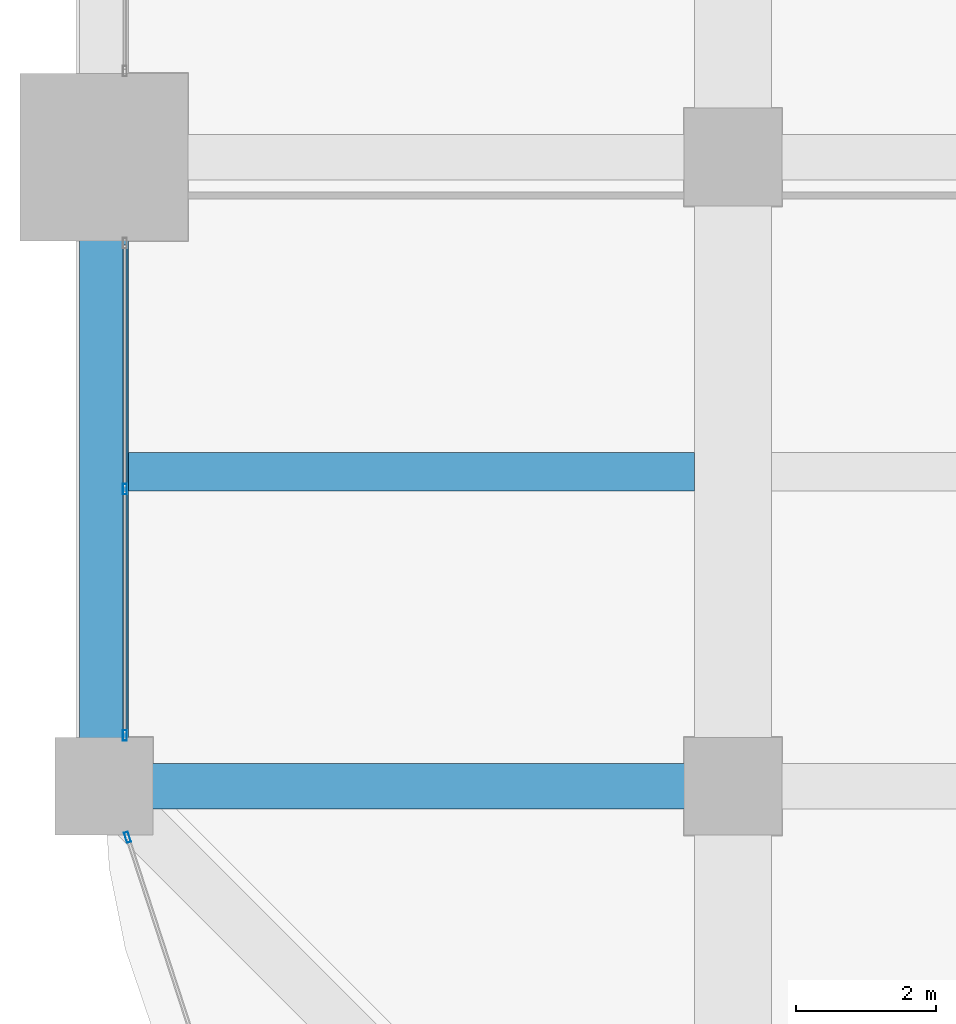
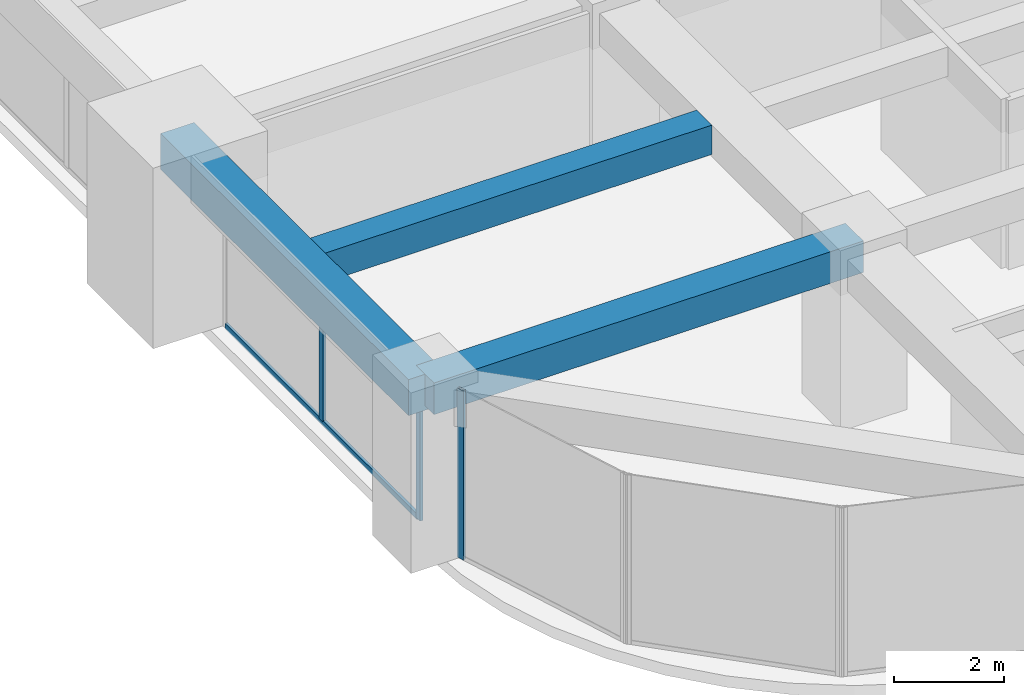
# One storey, part 4 of 33: 4 members, 3 beams, 2 elements without a shape of their own.
"""IFC4 building model written with IfcOpenShell, lengths in metres."""

from ifc_helpers import new_model, si_unit, direction, frame, origin, origin_2d, place, context, subcontext, project, spatial, rectangle, hollow_rectangle, extrude, material, material_profile, profile_set, type_object, element, aggregate, save


model = new_model("IFC4")

# Units and contexts
model_context = context("Model", 3, precision=1e-05, world=origin(), true_north=direction((0.0, 1.0)))
body_context = subcontext(model_context, "Body", "Model", "MODEL_VIEW")
ifc_project = project(units=[si_unit("LENGTHUNIT", "METRE"), si_unit("AREAUNIT", "SQUARE_METRE"), si_unit("VOLUMEUNIT", "CUBIC_METRE"), si_unit("PLANEANGLEUNIT", "RADIAN"), si_unit("MASSUNIT", "GRAM", prefix="KILO")], contexts=[model_context])

# Site, building, storey
site_placement = place(None, origin())
site = spatial("IfcSite", under=ifc_project, at=site_placement, CompositionType="ELEMENT")
building_placement = place(site_placement, origin())
building = spatial("IfcBuilding", under=site, at=building_placement, Name="Zorevar Civic Tower", CompositionType="ELEMENT")
storey_placement = place(building_placement, frame((0.0, 0.0, 210.199951171875)))
storey = spatial("IfcBuildingStorey", under=building, at=storey_placement, Name="L51", CompositionType="ELEMENT", Elevation=210.199951171875)

# Beams
ifc_material_1 = material(Name="Concrete C50/60", Category="concrete")
ifc_material_profile_1 = material_profile(ifc_material_1, rectangle(XDim=0.550048828125, YDim=0.64990234375, at=origin_2d()), Name="RC 550x650")
ifc_profile_set_1 = profile_set([ifc_material_profile_1], Name="Concrete C50/60")
beam_type_1 = type_object("IfcBeamType", Name="Beam RC 550x650", PredefinedType="BEAM", material=ifc_profile_set_1)
beam_1_placement = place(storey_placement, frame((0.35009765625, 13.5, 3.425048828125), z_axis=(1.0, 0.0, 0.0), x_axis=(0.0, 1.0, 0.0)))
element("IfcBeam", 1, at=beam_1_placement, inside=storey, type_object=beam_type_1, Name="Secondary beam L52", PredefinedType="BEAM", context=body_context, shape_type="SweptSolid", body=[
    extrude(rectangle(XDim=0.550048828125, YDim=0.64990234375, at=origin_2d()), origin(), (0.0, 0.0, 1.0), 8.099853515625),
])
ifc_material_2 = material(Name="Concrete C50/60", Category="concrete")
ifc_material_profile_2 = material_profile(ifc_material_2, rectangle(XDim=0.64990234375, YDim=0.699951171875, at=origin_2d()), Name="RC 650x700")
ifc_profile_set_2 = profile_set([ifc_material_profile_2], Name="Concrete C50/60")
beam_type_2 = type_object("IfcBeamType", Name="Beam RC 650x700", PredefinedType="BEAM", material=ifc_profile_set_2)
beam_2_placement = place(storey_placement, frame((0.0, 9.0, 3.400146484375), z_axis=(1.0, 0.0, 0.0), x_axis=(0.0, 1.0, 0.0)))
element("IfcBeam", 2, at=beam_2_placement, inside=storey, type_object=beam_type_2, Name="Girder L52", PredefinedType="BEAM", context=body_context, shape_type="SweptSolid", body=[
    extrude(rectangle(XDim=0.64990234375, YDim=0.699951171875, at=origin_2d()), origin(), (0.0, 0.0, 1.0), 9.0),
])

# Curtain wall, members
ifc_material_3 = material(Name="Dark grey solar-control glass in black aluminium frame", Category="aluminium")
curtain_wall_type = type_object("IfcCurtainWallType", Name="Curtain wall CW4 high zone", PredefinedType="NOTDEFINED", material=ifc_material_3)
curtain_wall_1_placement = place(storey_placement, origin())
curtain_wall_1 = element("IfcCurtainWall", 3, at=curtain_wall_1_placement, inside=storey, type_object=curtain_wall_type, Name="CW4 L51", PredefinedType="NOTDEFINED")
ifc_material_4 = material(Name="Aluminium, black anodised", Category="aluminium")
ifc_material_profile_3 = material_profile(ifc_material_4, hollow_rectangle(XDim=0.06005859375, YDim=0.14990234375, WallThickness=0.00390625, at=origin_2d()), Name="AL 150x60x4")
ifc_profile_set_3 = profile_set([ifc_material_profile_3], Name="Aluminium, black anodised")
member_type_1 = type_object("IfcMemberType", Name="CW4 mullion AL 150x60x4", PredefinedType="MULLION", material=ifc_profile_set_3)
member_1_placement = place(storey_placement, frame((0.300048828125, 9.72998046875, 0.0), z_axis=(0.0, 0.0, 1.0), x_axis=(-1.0, 0.0, 0.0)))
member_1 = element("IfcMember", 4, at=member_1_placement, type_object=member_type_1, Name="CW4 mullion 1", PredefinedType="MULLION", context=body_context, shape_type="SweptSolid", body=[
    extrude(hollow_rectangle(XDim=0.06005859375, YDim=0.14990234375, WallThickness=0.00390625, at=origin_2d()), origin(), (0.0, 0.0, 1.0), 2.949951171875),
])
member_2_placement = place(storey_placement, frame((0.300048828125, 13.25, 0.06005859375), z_axis=(0.0, 0.0, 1.0), x_axis=(-1.0, 0.0, 0.0)))
member_2 = element("IfcMember", 5, at=member_2_placement, type_object=member_type_1, Name="CW4 mullion 2", PredefinedType="MULLION", context=body_context, shape_type="SweptSolid", body=[
    extrude(hollow_rectangle(XDim=0.06005859375, YDim=0.14990234375, WallThickness=0.00390625, at=origin_2d()), origin(), (0.0, 0.0, 1.0), 2.889892578125),
])

# Curtain wall, member
curtain_wall_2_placement = place(storey_placement, origin())
curtain_wall_2 = element("IfcCurtainWall", 6, at=curtain_wall_2_placement, inside=storey, type_object=curtain_wall_type, Name="CW4 L51", PredefinedType="NOTDEFINED")
member_3_placement = place(storey_placement, frame((0.337646484375, 8.271484375, 0.0), z_axis=(0.0, 0.0, 1.0), x_axis=(0.950644749916, 0.310281419775, 0.0)))
member_3 = element("IfcMember", 7, at=member_3_placement, type_object=member_type_1, Name="CW4 mullion 1", PredefinedType="MULLION", context=body_context, shape_type="SweptSolid", body=[
    extrude(hollow_rectangle(XDim=0.06005859375, YDim=0.14990234375, WallThickness=0.00390625, at=origin_2d()), origin(), (0.0, 0.0, 1.0), 3.75),
])
aggregate(curtain_wall_2, [member_3])

# Member
ifc_material_5 = material(Name="Aluminium, black anodised", Category="aluminium")
ifc_material_profile_4 = material_profile(ifc_material_5, hollow_rectangle(XDim=0.06005859375, YDim=0.1201171875, WallThickness=0.0029296875, at=origin_2d()), Name="AL 120x60x3")
ifc_profile_set_4 = profile_set([ifc_material_profile_4], Name="Aluminium, black anodised")
member_type_2 = type_object("IfcMemberType", Name="CW4 transom AL 120x60x3", PredefinedType="USERDEFINED", material=ifc_profile_set_4)
member_4_placement = place(storey_placement, frame((0.300048828125, 9.760009765625, 0.030029296875), z_axis=(0.0, 1.0, 0.0), x_axis=(-1.0, 0.0, 0.0)))
member_4 = element("IfcMember", 8, at=member_4_placement, type_object=member_type_2, Name="CW4 sill transom", ObjectType="TRANSOM", PredefinedType="USERDEFINED", context=body_context, shape_type="SweptSolid", body=[
    extrude(hollow_rectangle(XDim=0.06005859375, YDim=0.1201171875, WallThickness=0.0029296875, at=origin_2d()), origin(), (0.0, 0.0, 1.0), 6.97998046875),
])

aggregate(curtain_wall_1, [member_1, member_2, member_4])

# Beam
ifc_material_6 = material(Name="Concrete C50/60", Category="concrete")
ifc_material_profile_5 = material_profile(ifc_material_6, rectangle(XDim=0.699951171875, YDim=0.800048828125, at=origin_2d()), Name="RC 700x800")
ifc_profile_set_5 = profile_set([ifc_material_profile_5], Name="Concrete C50/60")
beam_type_3 = type_object("IfcBeamType", Name="Edge beam RC 700x800", PredefinedType="SPANDREL", material=ifc_profile_set_5)
beam_3_placement = place(storey_placement, frame((0.0, 9.0, 3.35009765625), z_axis=(0.0, 1.0, 0.0), x_axis=(-1.0, 0.0, 0.0)))
element("IfcBeam", 9, at=beam_3_placement, inside=storey, type_object=beam_type_3, Name="Edge beam L52", PredefinedType="SPANDREL", context=body_context, shape_type="SweptSolid", body=[
    extrude(rectangle(XDim=0.699951171875, YDim=0.800048828125, at=origin_2d()), origin(), (0.0, 0.0, 1.0), 9.0),
])

save(model, "model.ifc")
